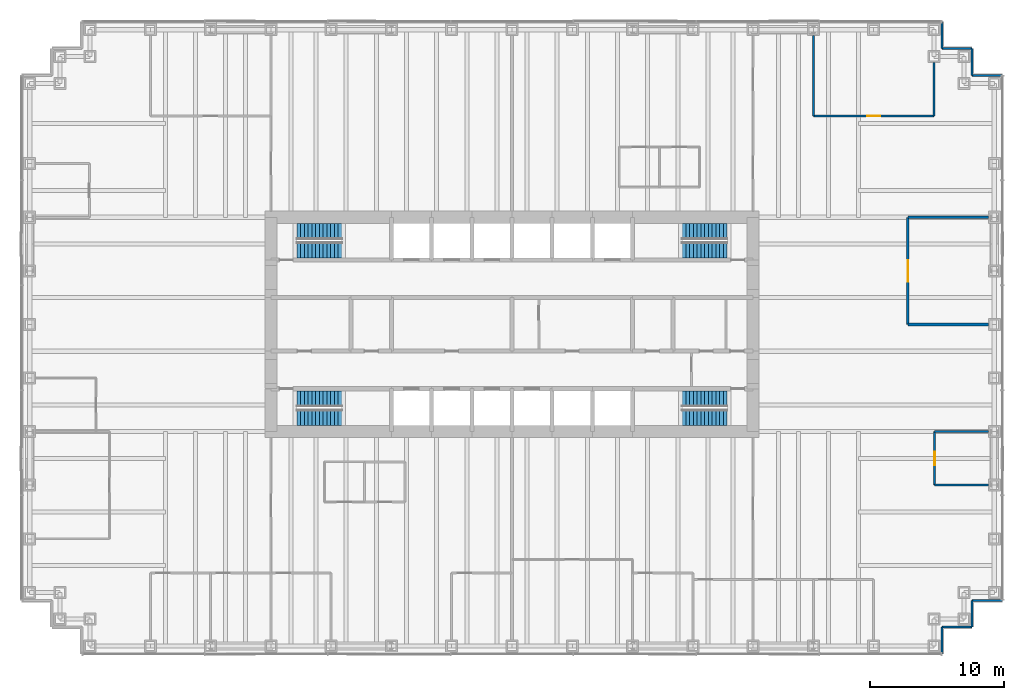
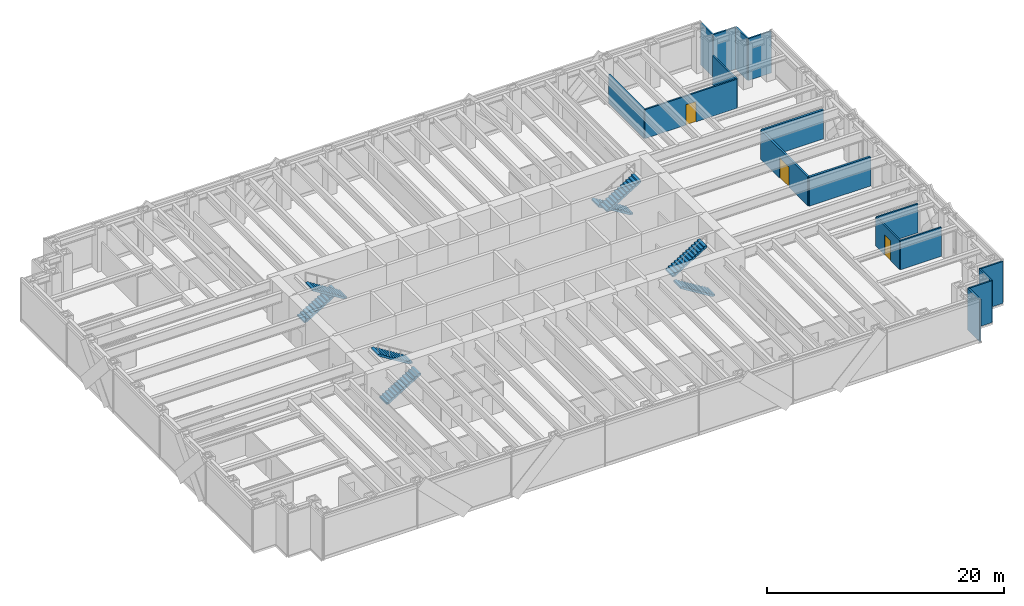
# One storey, part 12 of 13: 17 walls, 8 stair flights, 3 doors, 3 openings, 4 elements without a shape of their own.
"""IFC4 building model written with IfcOpenShell, lengths in metres."""

import ifcopenshell
import ifcopenshell.guid

model = None  # the IFC model being written
_history = None  # IfcOwnerHistory: only IFC2X3 demands one
_inside = {}  # id of a spatial element -> (the spatial element, [elements in it])
_under = {}  # id of a project, library or spatial element -> (it, [spatial elements below it])
_declared = {}  # id of a project -> (the project, [libraries it declares])
_typed = {}  # id of a type object -> (the type object, [elements of that type])
_made_of = {}  # id of a material, layer set ... -> (it, [elements and type objects made of it])


def new_model(schema):
    """Start an empty IFC model of exactly this schema.

    Asked for "IFC4X3", IfcOpenShell would pick the latest addendum, in which some entities
    have other attributes; the version numbers below select the first issue.
    IFC2X3 requires an IfcOwnerHistory on every rooted entity: one is made here for all.
    """
    global model, _history
    if schema == "IFC4X3":
        model = ifcopenshell.file(schema_version=(4, 3, 0, 0))
    else:
        model = ifcopenshell.file(schema=schema)
    _inside.clear()
    _under.clear()
    _declared.clear()
    _typed.clear()
    _made_of.clear()
    _history = None
    if model.schema == "IFC2X3":
        org = make("IfcOrganization", Name="unknown")
        user = make(
            "IfcPersonAndOrganization",
            ThePerson=make("IfcPerson", FamilyName="unknown"),
            TheOrganization=org,
        )
        app = make(
            "IfcApplication",
            ApplicationDeveloper=org,
            Version="unknown",
            ApplicationFullName="unknown",
            ApplicationIdentifier="unknown",
        )
        _history = make(
            "IfcOwnerHistory",
            OwningUser=user,
            OwningApplication=app,
            ChangeAction="ADDED",
            CreationDate=0,
        )
    return model


def make(cls, **values):
    """One entity of the class cls with the attributes given. An attribute that is None is left unset."""
    return model.create_entity(
        cls, **{name: value for name, value in values.items() if value is not None}
    )


def rooted(cls, **values):
    """An entity with a GlobalId (a new one), such as an element, a storey or a relation."""
    return make(cls, GlobalId=ifcopenshell.guid.new(), OwnerHistory=_history, **values)


def si_unit(unit_type, name, prefix=None):
    """IfcSIUnit, for example si_unit("LENGTHUNIT", "METRE", prefix="MILLI")."""
    return make("IfcSIUnit", UnitType=unit_type, Prefix=prefix, Name=name)


def assignment(units):
    """IfcUnitAssignment: the units of a project."""
    return None if units is None else make("IfcUnitAssignment", Units=units)


def point(xyz):
    """IfcCartesianPoint."""
    return None if xyz is None else make("IfcCartesianPoint", Coordinates=xyz)


def direction(xyz):
    """IfcDirection."""
    return None if xyz is None else make("IfcDirection", DirectionRatios=xyz)


def frame(location, z_axis=None, x_axis=None):
    """IfcAxis2Placement3D, a coordinate frame: its origin and axes. An axis left out is left unset."""
    return make(
        "IfcAxis2Placement3D",
        Location=point(location),
        Axis=direction(z_axis),
        RefDirection=direction(x_axis),
    )


def frame_2d(location, x_axis=None):
    """IfcAxis2Placement2D, a coordinate frame in the plane: its origin and x axis."""
    return make(
        "IfcAxis2Placement2D", Location=point(location), RefDirection=direction(x_axis)
    )


def origin():
    """The frame at (0, 0, 0) with its axes left unset."""
    return frame((0.0, 0.0, 0.0))


def place(relative_to, where):
    """IfcLocalPlacement: puts the frame where relative to a parent placement (None: the world)."""
    return make(
        "IfcLocalPlacement", PlacementRelTo=relative_to, RelativePlacement=where
    )


def context(
    kind, dimensions, precision=None, world=None, true_north=None, identifier=None
):
    """IfcGeometricRepresentationContext, for example the 3D "Model" context."""
    return make(
        "IfcGeometricRepresentationContext",
        ContextIdentifier=identifier,
        ContextType=kind,
        CoordinateSpaceDimension=dimensions,
        Precision=precision,
        WorldCoordinateSystem=world,
        TrueNorth=true_north,
    )


def subcontext(parent, identifier, kind, view, scale=None):
    """IfcGeometricRepresentationSubContext, for example "Body" below "Model"."""
    return make(
        "IfcGeometricRepresentationSubContext",
        ContextIdentifier=identifier,
        ContextType=kind,
        ParentContext=parent,
        TargetScale=scale,
        TargetView=view,
    )


def project(units=None, contexts=None):
    """IfcProject with its units and contexts."""
    return rooted(
        "IfcProject",
        Name="project",
        RepresentationContexts=contexts,
        UnitsInContext=assignment(units),
    )


def spatial(cls, under=None, at=None, **own):
    """A site, building, storey or space (cls), placed at a placement, below another one or the project."""
    s = rooted(cls, ObjectPlacement=at, **own)
    if under is not None:
        _under.setdefault(under.id(), (under, []))[1].append(s)
    return s


def polyline(points):
    """IfcPolyline through the points."""
    return make("IfcPolyline", Points=[point(p) for p in points])


def profile(cls, at=None, kind="AREA", **sizes):
    """A parametric profile (cls). Its sizes go by their IFC names, for example OverallWidth=200.0."""
    return make(cls, ProfileType=kind, Position=at, **sizes)


def rectangle(**sizes):
    """IfcRectangleProfileDef."""
    return profile("IfcRectangleProfileDef", **sizes)


def outline(outer, holes=None, kind="AREA"):
    """IfcArbitraryClosedProfileDef: a profile drawn as a closed curve; with holes, ...WithVoids."""
    if holes is None:
        return make("IfcArbitraryClosedProfileDef", ProfileType=kind, OuterCurve=outer)
    return make(
        "IfcArbitraryProfileDefWithVoids",
        ProfileType=kind,
        OuterCurve=outer,
        InnerCurves=holes,
    )


def extrude(swept, where, along, depth):
    """IfcExtrudedAreaSolid: the profile swept, set in the frame where, extruded along a direction by depth."""
    return make(
        "IfcExtrudedAreaSolid",
        SweptArea=swept,
        Position=where,
        ExtrudedDirection=direction(along),
        Depth=depth,
    )


def shape(context_of_items, identifier, shape_type, items):
    """IfcShapeRepresentation: the items that make up one representation, for example the "Body"."""
    return make(
        "IfcShapeRepresentation",
        ContextOfItems=context_of_items,
        RepresentationIdentifier=identifier,
        RepresentationType=shape_type,
        Items=items,
    )


def material(Name=None, Category=None):
    """IfcMaterial."""
    return make("IfcMaterial", Name=Name, Category=Category)


def layer(
    of_material, thickness, ventilated=None, Name=None, Category=None, Priority=None
):
    """IfcMaterialLayer: one layer of a wall or slab, of a material (None: an air gap)."""
    return make(
        "IfcMaterialLayer",
        Material=of_material,
        LayerThickness=thickness,
        IsVentilated=ventilated,
        Name=Name,
        Category=Category,
        Priority=Priority,
    )


def layer_set(layers, Name=None):
    """IfcMaterialLayerSet."""
    return make("IfcMaterialLayerSet", MaterialLayers=layers, LayerSetName=Name)


def made_of(thing, what):
    """Note that an element or type object is made of a material, layer set ...; save() writes the relation."""
    if what is not None:
        _made_of.setdefault(what.id(), (what, []))[1].append(thing)
    return thing


def type_object(cls, material=None, **own):
    """A type object (cls), such as IfcWallType, which elements share."""
    return made_of(rooted(cls, **own), material)


def element(
    cls,
    number,
    at=None,
    inside=None,
    cuts=None,
    type_object=None,
    material=None,
    context=None,
    identifier="Body",
    shape_type=None,
    held_by="IfcProductDefinitionShape",
    body=None,
    shapes=None,
    **own,
):
    """One element of the class cls, such as IfcWall. Its Tag is "e" and its number.

    at: its placement. inside: the storey or other place that contains it. cuts: it is an
    opening in that element (IfcRelVoidsElement). A single representation is given by context,
    identifier, shape_type and body (its items); several are given by shapes. held_by: the class
    of the entity that holds the representations. save() writes the other relations.
    """
    e = rooted(cls, Tag="e%d" % number, ObjectPlacement=at, **own)
    if body is not None:
        shapes = [shape(context, identifier, shape_type, body)]
    if shapes is not None:
        e.Representation = make(held_by, Representations=shapes)
    if inside is not None:
        _inside.setdefault(inside.id(), (inside, []))[1].append(e)
    if cuts is not None:
        rooted(
            "IfcRelVoidsElement", RelatingBuildingElement=cuts, RelatedOpeningElement=e
        )
    if type_object is not None:
        _typed.setdefault(type_object.id(), (type_object, []))[1].append(e)
    return made_of(e, material)


def fill(opening, filler):
    """IfcRelFillsElement: the door or window that sits in an opening."""
    return rooted(
        "IfcRelFillsElement",
        RelatingOpeningElement=opening,
        RelatedBuildingElement=filler,
    )


def aggregate(whole, parts):
    """IfcRelAggregates: a whole, such as a stair, and the parts it consists of."""
    return rooted("IfcRelAggregates", RelatingObject=whole, RelatedObjects=parts)


def save(model, path):
    """Write the relations noted so far, then the file.

    IfcRelAggregates (storeys below a building ...), IfcRelContainedInSpatialStructure (elements
    in a storey), IfcRelDefinesByType, IfcRelAssociatesMaterial and IfcRelDeclares: one each for
    every whole, place, type object, material and project.
    """
    for whole, parts in _under.values():
        aggregate(whole, parts)
    for where, things in _inside.values():
        rooted(
            "IfcRelContainedInSpatialStructure",
            RelatedElements=things,
            RelatingStructure=where,
        )
    for kind, things in _typed.values():
        rooted("IfcRelDefinesByType", RelatedObjects=things, RelatingType=kind)
    for what, things in _made_of.values():
        rooted("IfcRelAssociatesMaterial", RelatedObjects=things, RelatingMaterial=what)
    for by, libraries in _declared.values():
        rooted("IfcRelDeclares", RelatingContext=by, RelatedDefinitions=libraries)
    model.write(path)


model = new_model("IFC4")

# Units and contexts
model_context = context("Model", 3, precision=1e-05, world=origin(), true_north=direction((0.0, 1.0)))
body_context = subcontext(model_context, "Body", "Model", "MODEL_VIEW")
ifc_project = project(units=[si_unit("LENGTHUNIT", "METRE"), si_unit("AREAUNIT", "SQUARE_METRE"), si_unit("VOLUMEUNIT", "CUBIC_METRE"), si_unit("PLANEANGLEUNIT", "RADIAN"), si_unit("MASSUNIT", "GRAM", prefix="KILO")], contexts=[model_context])

# Site, building, storey
site_placement = place(None, origin())
site = spatial("IfcSite", under=ifc_project, at=site_placement, CompositionType="ELEMENT")
building_placement = place(site_placement, origin())
building = spatial("IfcBuilding", under=site, at=building_placement, Name="Rheinbord Bourse Tower", CompositionType="ELEMENT")
storey_placement = place(building_placement, frame((0.0, 0.0, 50.0)))
storey = spatial("IfcBuildingStorey", under=building, at=storey_placement, Name="L10", CompositionType="ELEMENT", Elevation=50.0)

# Walls
ifc_material_1 = material(Name="Acoustic gypsum board partition", Category="gypsum board")
ifc_layer_1 = layer(ifc_material_1, 0.199951171875)
ifc_layer_set_1 = layer_set([ifc_layer_1], Name="ACOUSTIC PARTITION 200")
wall_type_1 = type_object("IfcWallType", Name="ACOUSTIC PARTITION 200", PredefinedType="PARTITIONING", material=ifc_layer_set_1)
for number, where, z_axis, x_axis, name in (
    (1, (65.550048828125, 24.0, 0.0), (0.0, 0.0, 1.0), (1.0, 0.0, 0.0), "Partition L10-15"),
    (2, (65.550048828125, 32.0, 0.0), (0.0, 0.0, 1.0), (1.0, 0.0, 0.0), "Partition L10-17"),
):
    element("IfcWall", number, at=place(storey_placement, frame(where, z_axis=z_axis, x_axis=x_axis)), inside=storey, type_object=wall_type_1, Name=name, PredefinedType="PARTITIONING", context=body_context, shape_type="SweptSolid", body=[
        extrude(rectangle(XDim=6.0, YDim=0.199951171875, at=frame_2d((3.0, 0.0))), origin(), (0.0, 0.0, 1.0), 3.0),
    ])

# Wall, opening, door
wall_1_placement = place(storey_placement, frame((65.550048828125, 24.0, 0.0), z_axis=(0.0, 0.0, 1.0), x_axis=(0.0, 1.0, 0.0)))
wall_1 = element("IfcWall", 3, at=wall_1_placement, inside=storey, type_object=wall_type_1, Name="Partition L10-52", PredefinedType="PARTITIONING", context=body_context, shape_type="SweptSolid", body=[
    extrude(rectangle(XDim=8.0, YDim=0.199951171875, at=frame_2d((4.0, 0.0))), origin(), (0.0, 0.0, 1.0), 3.0),
])
opening_1_placement = place(wall_1_placement, frame((3.199951171875, 0.0, 0.0)))
opening_1 = element("IfcOpeningElement", 4, at=opening_1_placement, cuts=wall_1, Name="Opening 10D15", PredefinedType="OPENING", context=body_context, shape_type="SweptSolid", body=[
    extrude(rectangle(XDim=1.60009765625, YDim=2.10009765625, at=frame_2d((0.800048828125, 1.050048828125))), frame((0.0, 0.10986328125, 0.0), z_axis=(0.0, -1.0, 0.0), x_axis=(1.0, 0.0, 0.0)), (0.0, 0.0, 1.0), 0.219970703125),
])
ifc_material_2 = material(Name="Timber door", Category="wood")
door_type_1 = type_object("IfcDoorType", Name="DOUBLE ROOM DOOR 1600", OperationType="DOUBLE_DOOR_DOUBLE_SWING", PredefinedType="DOOR", material=ifc_material_2)
door_1_placement = place(opening_1_placement, origin())
door_1 = element("IfcDoor", 5, at=door_1_placement, inside=storey, type_object=door_type_1, Name="Board room door L10", OperationType="SINGLE_SWING_LEFT", OverallHeight=2.10009765625, OverallWidth=1.60009765625, PredefinedType="DOOR", context=body_context, shape_type="SweptSolid", body=[
    extrude(rectangle(XDim=1.60009765625, YDim=2.10009765625, at=frame_2d((0.800048828125, 1.050048828125))), frame((0.0, 0.02490234375, 0.0), z_axis=(0.0, -1.0, 0.0), x_axis=(1.0, 0.0, 0.0)), (0.0, 0.0, 1.0), 0.050048828125),
])
fill(opening_1, door_1)

# Walls
ifc_material_3 = material(Name="Black metal rainscreen panel", Category="aluminium")
ifc_layer_2 = layer(ifc_material_3, 0.14990234375)
ifc_layer_set_2 = layer_set([ifc_layer_2], Name="CORNER PIER CLADDING 150")
wall_type_2 = type_object("IfcWallType", Name="CORNER PIER CLADDING 150", PredefinedType="ELEMENTEDWALL", material=ifc_layer_set_2)
wall_2_placement = place(storey_placement, frame((68.10009765625, -0.60009765625, 0.0), z_axis=(0.0, 0.0, 1.0), x_axis=(0.0, 1.0, 0.0)))
element("IfcWall", 6, at=wall_2_placement, inside=storey, type_object=wall_type_2, Name="Corner pier cladding L10 2", PredefinedType="ELEMENTEDWALL", context=body_context, shape_type="SweptSolid", body=[
    extrude(rectangle(XDim=2.0, YDim=0.14990234375, at=frame_2d((1.0, 0.0))), origin(), (0.0, 0.0, 1.0), 4.320068359375),
])
wall_3_placement = place(storey_placement, frame((68.10009765625, 1.39990234375, 0.0), z_axis=(0.0, 0.0, 1.0), x_axis=(1.0, 0.0, 0.0)))
element("IfcWall", 7, at=wall_3_placement, inside=storey, type_object=wall_type_2, Name="Corner pier cladding L10 3", PredefinedType="ELEMENTEDWALL", context=body_context, shape_type="SweptSolid", body=[
    extrude(rectangle(XDim=2.25, YDim=0.14990234375, at=frame_2d((1.125, 0.0))), origin(), (0.0, 0.0, 1.0), 4.320068359375),
])
wall_4_placement = place(storey_placement, frame((70.35009765625, 1.39990234375, 0.0), z_axis=(0.0, 0.0, 1.0), x_axis=(0.0, 1.0, 0.0)))
element("IfcWall", 8, at=wall_4_placement, inside=storey, type_object=wall_type_2, Name="Corner pier cladding L10 4", PredefinedType="ELEMENTEDWALL", context=body_context, shape_type="SweptSolid", body=[
    extrude(rectangle(XDim=2.0, YDim=0.14990234375, at=frame_2d((1.0, 0.0))), origin(), (0.0, 0.0, 1.0), 4.320068359375),
])
for number, where, z_axis, x_axis, name in (
    (9, (70.35009765625, 3.39990234375, 0.0), (0.0, 0.0, 1.0), (1.0, 0.0, 0.0), "Corner pier cladding L10 5"),
    (10, (72.60009765625, 42.60009765625, 0.0), (0.0, 0.0, 1.0), (-1.0, 0.0, 0.0), "Corner pier cladding L10 7"),
):
    element("IfcWall", number, at=place(storey_placement, frame(where, z_axis=z_axis, x_axis=x_axis)), inside=storey, type_object=wall_type_2, Name=name, PredefinedType="ELEMENTEDWALL", context=body_context, shape_type="SweptSolid", body=[
        extrude(rectangle(XDim=2.25, YDim=0.14990234375, at=frame_2d((1.125, 0.0))), origin(), (0.0, 0.0, 1.0), 4.320068359375),
    ])
wall_5_placement = place(storey_placement, frame((70.35009765625, 42.60009765625, 0.0), z_axis=(0.0, 0.0, 1.0), x_axis=(0.0, 1.0, 0.0)))
element("IfcWall", 11, at=wall_5_placement, inside=storey, type_object=wall_type_2, Name="Corner pier cladding L10 8", PredefinedType="ELEMENTEDWALL", context=body_context, shape_type="SweptSolid", body=[
    extrude(rectangle(XDim=2.0, YDim=0.14990234375, at=frame_2d((1.0, 0.0))), origin(), (0.0, 0.0, 1.0), 4.320068359375),
])
wall_6_placement = place(storey_placement, frame((70.35009765625, 44.60009765625, 0.0), z_axis=(0.0, 0.0, 1.0), x_axis=(-1.0, 0.0, 0.0)))
element("IfcWall", 12, at=wall_6_placement, inside=storey, type_object=wall_type_2, Name="Corner pier cladding L10 9", PredefinedType="ELEMENTEDWALL", context=body_context, shape_type="SweptSolid", body=[
    extrude(rectangle(XDim=2.25, YDim=0.14990234375, at=frame_2d((1.125, 0.0))), origin(), (0.0, 0.0, 1.0), 4.320068359375),
])
wall_7_placement = place(storey_placement, frame((68.10009765625, 44.60009765625, 0.0), z_axis=(0.0, 0.0, 1.0), x_axis=(0.0, 1.0, 0.0)))
element("IfcWall", 13, at=wall_7_placement, inside=storey, type_object=wall_type_2, Name="Corner pier cladding L10 10", PredefinedType="ELEMENTEDWALL", context=body_context, shape_type="SweptSolid", body=[
    extrude(rectangle(XDim=2.0, YDim=0.14990234375, at=frame_2d((1.0, 0.0))), origin(), (0.0, 0.0, 1.0), 4.320068359375),
])
ifc_material_4 = material(Name="Gypsum board fire partition", Category="gypsum board")
ifc_layer_3 = layer(ifc_material_4, 0.14990234375)
ifc_layer_set_3 = layer_set([ifc_layer_3], Name="FIRE PARTITION 150 EI60")
wall_type_3 = type_object("IfcWallType", Name="FIRE PARTITION 150 EI60", PredefinedType="PARTITIONING", material=ifc_layer_set_3)
for number, where, z_axis, x_axis, name in (
    (14, (67.550048828125, 12.0, 0.0), (0.0, 0.0, 1.0), (1.0, 0.0, 0.0), "Partition L10-09"),
    (15, (67.550048828125, 16.0, 0.0), (0.0, 0.0, 1.0), (1.0, 0.0, 0.0), "Partition L10-13"),
):
    element("IfcWall", number, at=place(storey_placement, frame(where, z_axis=z_axis, x_axis=x_axis)), inside=storey, type_object=wall_type_3, Name=name, PredefinedType="PARTITIONING", context=body_context, shape_type="SweptSolid", body=[
        extrude(rectangle(XDim=4.0, YDim=0.14990234375, at=frame_2d((2.0, 0.0))), origin(), (0.0, 0.0, 1.0), 3.0),
    ])

# Wall, opening, door
wall_8_placement = place(storey_placement, frame((67.550048828125, 12.0, 0.0), z_axis=(0.0, 0.0, 1.0), x_axis=(0.0, 1.0, 0.0)))
wall_8 = element("IfcWall", 16, at=wall_8_placement, inside=storey, type_object=wall_type_3, Name="Partition L10-54", PredefinedType="PARTITIONING", context=body_context, shape_type="SweptSolid", body=[
    extrude(rectangle(XDim=4.0, YDim=0.14990234375, at=frame_2d((2.0, 0.0))), origin(), (0.0, 0.0, 1.0), 3.0),
])
opening_2_placement = place(wall_8_placement, frame((1.5, 0.0, 0.0)))
opening_2 = element("IfcOpeningElement", 17, at=opening_2_placement, cuts=wall_8, Name="Opening 10D13", PredefinedType="OPENING", context=body_context, shape_type="SweptSolid", body=[
    extrude(rectangle(XDim=1.0, YDim=2.10009765625, at=frame_2d((0.5, 1.050048828125))), frame((0.0, 0.0849609375, 0.0), z_axis=(0.0, -1.0, 0.0), x_axis=(1.0, 0.0, 0.0)), (0.0, 0.0, 1.0), 0.169921875),
])
ifc_material_5 = material(Name="Timber fire door", Category="wood")
door_type_2 = type_object("IfcDoorType", Name="FIRE DOOR 1000 EI60", OperationType="SINGLE_SWING_LEFT", PredefinedType="DOOR", material=ifc_material_5)
door_2_placement = place(opening_2_placement, origin())
door_2 = element("IfcDoor", 18, at=door_2_placement, inside=storey, type_object=door_type_2, Name="Comms room door L10", OperationType="SINGLE_SWING_LEFT", OverallHeight=2.10009765625, OverallWidth=1.0, PredefinedType="DOOR", context=body_context, shape_type="SweptSolid", body=[
    extrude(rectangle(XDim=1.0, YDim=2.10009765625, at=frame_2d((0.5, 1.050048828125))), frame((0.0, 0.02490234375, 0.0), z_axis=(0.0, -1.0, 0.0), x_axis=(1.0, 0.0, 0.0)), (0.0, 0.0, 1.0), 0.050048828125),
])
fill(opening_2, door_2)

ifc_material_6 = material(Name="Gypsum board partition", Category="gypsum board")
ifc_layer_4 = layer(ifc_material_6, 0.14990234375)
ifc_layer_set_4 = layer_set([ifc_layer_4], Name="PARTITION 150")
wall_type_4 = type_object("IfcWallType", Name="PARTITION 150", PredefinedType="PARTITIONING", material=ifc_layer_set_4)
wall_9_placement = place(storey_placement, frame((58.5, 39.550048828125, 0.0), z_axis=(0.0, 0.0, 1.0), x_axis=(1.0, 0.0, 0.0)))
wall_9 = element("IfcWall", 19, at=wall_9_placement, inside=storey, type_object=wall_type_4, Name="Partition L10-22", PredefinedType="PARTITIONING", context=body_context, shape_type="SweptSolid", body=[
    extrude(rectangle(XDim=9.0, YDim=0.14990234375, at=frame_2d((4.5, 0.0))), origin(), (0.0, 0.0, 1.0), 3.0),
])
opening_3_placement = place(wall_9_placement, frame((4.0, 0.0, 0.0)))
opening_3 = element("IfcOpeningElement", 20, at=opening_3_placement, cuts=wall_9, Name="Opening 10D20", PredefinedType="OPENING", context=body_context, shape_type="SweptSolid", body=[
    extrude(rectangle(XDim=1.0, YDim=2.10009765625, at=frame_2d((0.5, 1.050048828125))), frame((0.0, 0.0849609375, 0.0), z_axis=(0.0, -1.0, 0.0), x_axis=(1.0, 0.0, 0.0)), (0.0, 0.0, 1.0), 0.169921875),
])
ifc_material_7 = material(Name="Timber door", Category="wood")
door_type_3 = type_object("IfcDoorType", Name="ROOM DOOR 1000", OperationType="SINGLE_SWING_LEFT", PredefinedType="DOOR", material=ifc_material_7)
door_3_placement = place(opening_3_placement, origin())
door_3 = element("IfcDoor", 21, at=door_3_placement, inside=storey, type_object=door_type_3, Name="Head of desk office door L10", OperationType="SINGLE_SWING_LEFT", OverallHeight=2.10009765625, OverallWidth=1.0, PredefinedType="DOOR", context=body_context, shape_type="SweptSolid", body=[
    extrude(rectangle(XDim=1.0, YDim=2.10009765625, at=frame_2d((0.5, 1.050048828125))), frame((0.0, 0.02490234375, 0.0), z_axis=(0.0, -1.0, 0.0), x_axis=(1.0, 0.0, 0.0)), (0.0, 0.0, 1.0), 0.050048828125),
])
fill(opening_3, door_3)

# Walls
wall_10_placement = place(storey_placement, frame((58.5, 39.550048828125, 0.0), z_axis=(0.0, 0.0, 1.0), x_axis=(0.0, 1.0, 0.0)))
element("IfcWall", 22, at=wall_10_placement, inside=storey, type_object=wall_type_4, Name="Partition L10-50", PredefinedType="PARTITIONING", context=body_context, shape_type="SweptSolid", body=[
    extrude(rectangle(XDim=6.0, YDim=0.14990234375, at=frame_2d((3.0, 0.0))), origin(), (0.0, 0.0, 1.0), 3.0),
])
wall_11_placement = place(storey_placement, frame((67.5, 39.550048828125, 0.0), z_axis=(0.0, 0.0, 1.0), x_axis=(0.0, 1.0, 0.0)))
element("IfcWall", 23, at=wall_11_placement, inside=storey, type_object=wall_type_4, Name="Partition L10-53", PredefinedType="PARTITIONING", context=body_context, shape_type="SweptSolid", body=[
    extrude(rectangle(XDim=4.0, YDim=0.14990234375, at=frame_2d((2.0, 0.0))), origin(), (0.0, 0.0, 1.0), 3.0),
])

# Stair, stair flights
ifc_material_8 = material(Name="Concrete C30/37", Category="concrete")
stair_type = type_object("IfcStairType", Name="CORE STAIR HALF TURN 4500", PredefinedType="HALF_TURN_STAIR", material=ifc_material_8)
stair_1_placement = place(storey_placement, origin())
stair_1 = element("IfcStair", 24, at=stair_1_placement, inside=storey, type_object=stair_type, Name="Stair ST1 L10, type CS4", PredefinedType="HALF_TURN_STAIR")
ifc_material_9 = material(Name="Concrete C30/37", Category="concrete")
stair_flight_type = type_object("IfcStairFlightType", Name="CORE STAIR FLIGHT 1200, 13 RISERS", PredefinedType="STRAIGHT", material=ifc_material_9)
stair_flight_1_placement = place(storey_placement, frame((19.949951171875, 17.050048828125, 0.0), z_axis=(0.0, 0.0, 1.0), x_axis=(1.0, 0.0, 0.0)))
stair_flight_1 = element("IfcStairFlight", 25, at=stair_flight_1_placement, type_object=stair_flight_type, Name="STAIR L10 ST1 F1", NumberOfRisers=13, NumberOfTreads=12, PredefinedType="STRAIGHT", RiserHeight=0.173076923, TreadLength=0.28, context=body_context, shape_type="SweptSolid", body=[
    extrude(outline(polyline([(0.0, 0.0), (0.0, 0.173095703125), (0.280029296875, 0.173095703125), (0.280029296875, 0.34619140625), (0.56005859375, 0.34619140625), (0.56005859375, 0.519287109375), (0.840087890625, 0.519287109375), (0.840087890625, 0.6923828125), (1.1201171875, 0.6923828125), (1.1201171875, 0.865478515625), (1.39990234375, 0.865478515625), (1.39990234375, 1.03857421875), (1.679931640625, 1.03857421875), (1.679931640625, 1.21142578125), (1.9599609375, 1.21142578125), (1.9599609375, 1.384521484375), (2.239990234375, 1.384521484375), (2.239990234375, 1.5576171875), (2.52001953125, 1.5576171875), (2.52001953125, 1.730712890625), (2.800048828125, 1.730712890625), (2.800048828125, 1.90380859375), (3.080078125, 1.90380859375), (3.080078125, 2.076904296875), (3.360107421875, 2.076904296875), (3.360107421875, 2.25), (3.360107421875, 1.900634765625), (0.28515625, 0.0), (0.0, 0.0)])), frame((0.0, 0.60009765625, 0.0), z_axis=(0.0, -1.0, 0.0), x_axis=(1.0, 0.0, 0.0)), (0.0, 0.0, 1.0), 1.199951171875),
])
stair_flight_2_placement = place(storey_placement, frame((23.31005859375, 18.449951171875, 2.25), z_axis=(0.0, 0.0, 1.0), x_axis=(-1.0, 0.0, 0.0)))
stair_flight_2 = element("IfcStairFlight", 26, at=stair_flight_2_placement, type_object=stair_flight_type, Name="STAIR L10 ST1 F2", NumberOfRisers=13, NumberOfTreads=12, PredefinedType="STRAIGHT", RiserHeight=0.173076923, TreadLength=0.28, context=body_context, shape_type="SweptSolid", body=[
    extrude(outline(polyline([(0.0, 0.0), (0.0, 0.173095703125), (0.280029296875, 0.173095703125), (0.280029296875, 0.34619140625), (0.56005859375, 0.34619140625), (0.56005859375, 0.519287109375), (0.840087890625, 0.519287109375), (0.840087890625, 0.6923828125), (1.1201171875, 0.6923828125), (1.1201171875, 0.865478515625), (1.39990234375, 0.865478515625), (1.39990234375, 1.03857421875), (1.679931640625, 1.03857421875), (1.679931640625, 1.21142578125), (1.9599609375, 1.21142578125), (1.9599609375, 1.384521484375), (2.239990234375, 1.384521484375), (2.239990234375, 1.5576171875), (2.52001953125, 1.5576171875), (2.52001953125, 1.730712890625), (2.800048828125, 1.730712890625), (2.800048828125, 1.90380859375), (3.080078125, 1.90380859375), (3.080078125, 2.076904296875), (3.360107421875, 2.076904296875), (3.360107421875, 2.25), (3.360107421875, 1.900634765625), (0.28515625, 0.0), (0.0, 0.0)])), frame((0.0, 0.60009765625, 0.0), z_axis=(0.0, -1.0, 0.0), x_axis=(1.0, 0.0, 0.0)), (0.0, 0.0, 1.0), 1.199951171875),
])
aggregate(stair_1, [stair_flight_1, stair_flight_2])

stair_2_placement = place(storey_placement, origin())
stair_2 = element("IfcStair", 27, at=stair_2_placement, inside=storey, type_object=stair_type, Name="Stair ST2 L10, type CS4", PredefinedType="HALF_TURN_STAIR")
stair_flight_3_placement = place(storey_placement, frame((19.949951171875, 30.949951171875, 0.0), z_axis=(0.0, 0.0, 1.0), x_axis=(1.0, 0.0, 0.0)))
stair_flight_3 = element("IfcStairFlight", 28, at=stair_flight_3_placement, type_object=stair_flight_type, Name="STAIR L10 ST2 F1", NumberOfRisers=13, NumberOfTreads=12, PredefinedType="STRAIGHT", RiserHeight=0.173076923, TreadLength=0.28, context=body_context, shape_type="SweptSolid", body=[
    extrude(outline(polyline([(0.0, 0.0), (0.0, 0.173095703125), (0.280029296875, 0.173095703125), (0.280029296875, 0.34619140625), (0.56005859375, 0.34619140625), (0.56005859375, 0.519287109375), (0.840087890625, 0.519287109375), (0.840087890625, 0.6923828125), (1.1201171875, 0.6923828125), (1.1201171875, 0.865478515625), (1.39990234375, 0.865478515625), (1.39990234375, 1.03857421875), (1.679931640625, 1.03857421875), (1.679931640625, 1.21142578125), (1.9599609375, 1.21142578125), (1.9599609375, 1.384521484375), (2.239990234375, 1.384521484375), (2.239990234375, 1.5576171875), (2.52001953125, 1.5576171875), (2.52001953125, 1.730712890625), (2.800048828125, 1.730712890625), (2.800048828125, 1.90380859375), (3.080078125, 1.90380859375), (3.080078125, 2.076904296875), (3.360107421875, 2.076904296875), (3.360107421875, 2.25), (3.360107421875, 1.900634765625), (0.28515625, 0.0), (0.0, 0.0)])), frame((0.0, 0.60009765625, 0.0), z_axis=(0.0, -1.0, 0.0), x_axis=(1.0, 0.0, 0.0)), (0.0, 0.0, 1.0), 1.199951171875),
])
stair_flight_4_placement = place(storey_placement, frame((23.31005859375, 29.550048828125, 2.25), z_axis=(0.0, 0.0, 1.0), x_axis=(-1.0, 0.0, 0.0)))
stair_flight_4 = element("IfcStairFlight", 29, at=stair_flight_4_placement, type_object=stair_flight_type, Name="STAIR L10 ST2 F2", NumberOfRisers=13, NumberOfTreads=12, PredefinedType="STRAIGHT", RiserHeight=0.173076923, TreadLength=0.28, context=body_context, shape_type="SweptSolid", body=[
    extrude(outline(polyline([(0.0, 0.0), (0.0, 0.173095703125), (0.280029296875, 0.173095703125), (0.280029296875, 0.34619140625), (0.56005859375, 0.34619140625), (0.56005859375, 0.519287109375), (0.840087890625, 0.519287109375), (0.840087890625, 0.6923828125), (1.1201171875, 0.6923828125), (1.1201171875, 0.865478515625), (1.39990234375, 0.865478515625), (1.39990234375, 1.03857421875), (1.679931640625, 1.03857421875), (1.679931640625, 1.21142578125), (1.9599609375, 1.21142578125), (1.9599609375, 1.384521484375), (2.239990234375, 1.384521484375), (2.239990234375, 1.5576171875), (2.52001953125, 1.5576171875), (2.52001953125, 1.730712890625), (2.800048828125, 1.730712890625), (2.800048828125, 1.90380859375), (3.080078125, 1.90380859375), (3.080078125, 2.076904296875), (3.360107421875, 2.076904296875), (3.360107421875, 2.25), (3.360107421875, 1.900634765625), (0.28515625, 0.0), (0.0, 0.0)])), frame((0.0, 0.60009765625, 0.0), z_axis=(0.0, -1.0, 0.0), x_axis=(1.0, 0.0, 0.0)), (0.0, 0.0, 1.0), 1.199951171875),
])
aggregate(stair_2, [stair_flight_3, stair_flight_4])

stair_3_placement = place(storey_placement, origin())
stair_3 = element("IfcStair", 30, at=stair_3_placement, inside=storey, type_object=stair_type, Name="Stair ST3 L10, type CS4", PredefinedType="HALF_TURN_STAIR")
stair_flight_5_placement = place(storey_placement, frame((52.050048828125, 17.050048828125, 0.0), z_axis=(0.0, 0.0, 1.0), x_axis=(-1.0, 0.0, 0.0)))
stair_flight_5 = element("IfcStairFlight", 31, at=stair_flight_5_placement, type_object=stair_flight_type, Name="STAIR L10 ST3 F1", NumberOfRisers=13, NumberOfTreads=12, PredefinedType="STRAIGHT", RiserHeight=0.173076923, TreadLength=0.28, context=body_context, shape_type="SweptSolid", body=[
    extrude(outline(polyline([(0.0, 0.0), (0.0, 0.173095703125), (0.280029296875, 0.173095703125), (0.280029296875, 0.34619140625), (0.56005859375, 0.34619140625), (0.56005859375, 0.519287109375), (0.840087890625, 0.519287109375), (0.840087890625, 0.6923828125), (1.1201171875, 0.6923828125), (1.1201171875, 0.865478515625), (1.39990234375, 0.865478515625), (1.39990234375, 1.03857421875), (1.679931640625, 1.03857421875), (1.679931640625, 1.21142578125), (1.9599609375, 1.21142578125), (1.9599609375, 1.384521484375), (2.239990234375, 1.384521484375), (2.239990234375, 1.5576171875), (2.52001953125, 1.5576171875), (2.52001953125, 1.730712890625), (2.800048828125, 1.730712890625), (2.800048828125, 1.90380859375), (3.080078125, 1.90380859375), (3.080078125, 2.076904296875), (3.360107421875, 2.076904296875), (3.360107421875, 2.25), (3.360107421875, 1.900634765625), (0.28515625, 0.0), (0.0, 0.0)])), frame((0.0, 0.60009765625, 0.0), z_axis=(0.0, -1.0, 0.0), x_axis=(1.0, 0.0, 0.0)), (0.0, 0.0, 1.0), 1.199951171875),
])
stair_flight_6_placement = place(storey_placement, frame((48.68994140625, 18.449951171875, 2.25), z_axis=(0.0, 0.0, 1.0), x_axis=(1.0, 0.0, 0.0)))
stair_flight_6 = element("IfcStairFlight", 32, at=stair_flight_6_placement, type_object=stair_flight_type, Name="STAIR L10 ST3 F2", NumberOfRisers=13, NumberOfTreads=12, PredefinedType="STRAIGHT", RiserHeight=0.173076923, TreadLength=0.28, context=body_context, shape_type="SweptSolid", body=[
    extrude(outline(polyline([(0.0, 0.0), (0.0, 0.173095703125), (0.280029296875, 0.173095703125), (0.280029296875, 0.34619140625), (0.56005859375, 0.34619140625), (0.56005859375, 0.519287109375), (0.840087890625, 0.519287109375), (0.840087890625, 0.6923828125), (1.1201171875, 0.6923828125), (1.1201171875, 0.865478515625), (1.39990234375, 0.865478515625), (1.39990234375, 1.03857421875), (1.679931640625, 1.03857421875), (1.679931640625, 1.21142578125), (1.9599609375, 1.21142578125), (1.9599609375, 1.384521484375), (2.239990234375, 1.384521484375), (2.239990234375, 1.5576171875), (2.52001953125, 1.5576171875), (2.52001953125, 1.730712890625), (2.800048828125, 1.730712890625), (2.800048828125, 1.90380859375), (3.080078125, 1.90380859375), (3.080078125, 2.076904296875), (3.360107421875, 2.076904296875), (3.360107421875, 2.25), (3.360107421875, 1.900634765625), (0.28515625, 0.0), (0.0, 0.0)])), frame((0.0, 0.60009765625, 0.0), z_axis=(0.0, -1.0, 0.0), x_axis=(1.0, 0.0, 0.0)), (0.0, 0.0, 1.0), 1.199951171875),
])
aggregate(stair_3, [stair_flight_5, stair_flight_6])

stair_4_placement = place(storey_placement, origin())
stair_4 = element("IfcStair", 33, at=stair_4_placement, inside=storey, type_object=stair_type, Name="Stair ST4 L10, type CS4", PredefinedType="HALF_TURN_STAIR")
stair_flight_7_placement = place(storey_placement, frame((52.050048828125, 30.949951171875, 0.0), z_axis=(0.0, 0.0, 1.0), x_axis=(-1.0, 0.0, 0.0)))
stair_flight_7 = element("IfcStairFlight", 34, at=stair_flight_7_placement, type_object=stair_flight_type, Name="STAIR L10 ST4 F1", NumberOfRisers=13, NumberOfTreads=12, PredefinedType="STRAIGHT", RiserHeight=0.173076923, TreadLength=0.28, context=body_context, shape_type="SweptSolid", body=[
    extrude(outline(polyline([(0.0, 0.0), (0.0, 0.173095703125), (0.280029296875, 0.173095703125), (0.280029296875, 0.34619140625), (0.56005859375, 0.34619140625), (0.56005859375, 0.519287109375), (0.840087890625, 0.519287109375), (0.840087890625, 0.6923828125), (1.1201171875, 0.6923828125), (1.1201171875, 0.865478515625), (1.39990234375, 0.865478515625), (1.39990234375, 1.03857421875), (1.679931640625, 1.03857421875), (1.679931640625, 1.21142578125), (1.9599609375, 1.21142578125), (1.9599609375, 1.384521484375), (2.239990234375, 1.384521484375), (2.239990234375, 1.5576171875), (2.52001953125, 1.5576171875), (2.52001953125, 1.730712890625), (2.800048828125, 1.730712890625), (2.800048828125, 1.90380859375), (3.080078125, 1.90380859375), (3.080078125, 2.076904296875), (3.360107421875, 2.076904296875), (3.360107421875, 2.25), (3.360107421875, 1.900634765625), (0.28515625, 0.0), (0.0, 0.0)])), frame((0.0, 0.60009765625, 0.0), z_axis=(0.0, -1.0, 0.0), x_axis=(1.0, 0.0, 0.0)), (0.0, 0.0, 1.0), 1.199951171875),
])
stair_flight_8_placement = place(storey_placement, frame((48.68994140625, 29.550048828125, 2.25), z_axis=(0.0, 0.0, 1.0), x_axis=(1.0, 0.0, 0.0)))
stair_flight_8 = element("IfcStairFlight", 35, at=stair_flight_8_placement, type_object=stair_flight_type, Name="STAIR L10 ST4 F2", NumberOfRisers=13, NumberOfTreads=12, PredefinedType="STRAIGHT", RiserHeight=0.173076923, TreadLength=0.28, context=body_context, shape_type="SweptSolid", body=[
    extrude(outline(polyline([(0.0, 0.0), (0.0, 0.173095703125), (0.280029296875, 0.173095703125), (0.280029296875, 0.34619140625), (0.56005859375, 0.34619140625), (0.56005859375, 0.519287109375), (0.840087890625, 0.519287109375), (0.840087890625, 0.6923828125), (1.1201171875, 0.6923828125), (1.1201171875, 0.865478515625), (1.39990234375, 0.865478515625), (1.39990234375, 1.03857421875), (1.679931640625, 1.03857421875), (1.679931640625, 1.21142578125), (1.9599609375, 1.21142578125), (1.9599609375, 1.384521484375), (2.239990234375, 1.384521484375), (2.239990234375, 1.5576171875), (2.52001953125, 1.5576171875), (2.52001953125, 1.730712890625), (2.800048828125, 1.730712890625), (2.800048828125, 1.90380859375), (3.080078125, 1.90380859375), (3.080078125, 2.076904296875), (3.360107421875, 2.076904296875), (3.360107421875, 2.25), (3.360107421875, 1.900634765625), (0.28515625, 0.0), (0.0, 0.0)])), frame((0.0, 0.60009765625, 0.0), z_axis=(0.0, -1.0, 0.0), x_axis=(1.0, 0.0, 0.0)), (0.0, 0.0, 1.0), 1.199951171875),
])
aggregate(stair_4, [stair_flight_7, stair_flight_8])

save(model, "model.ifc")
